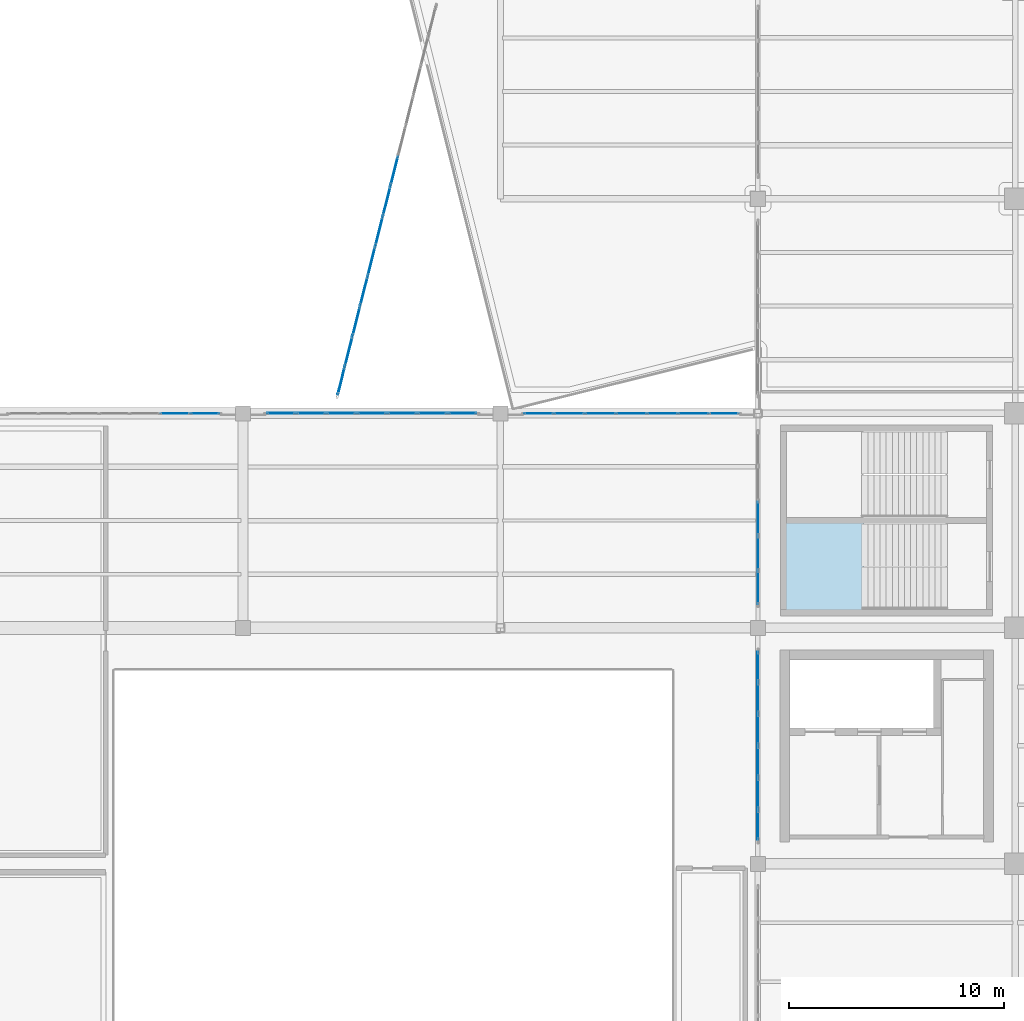
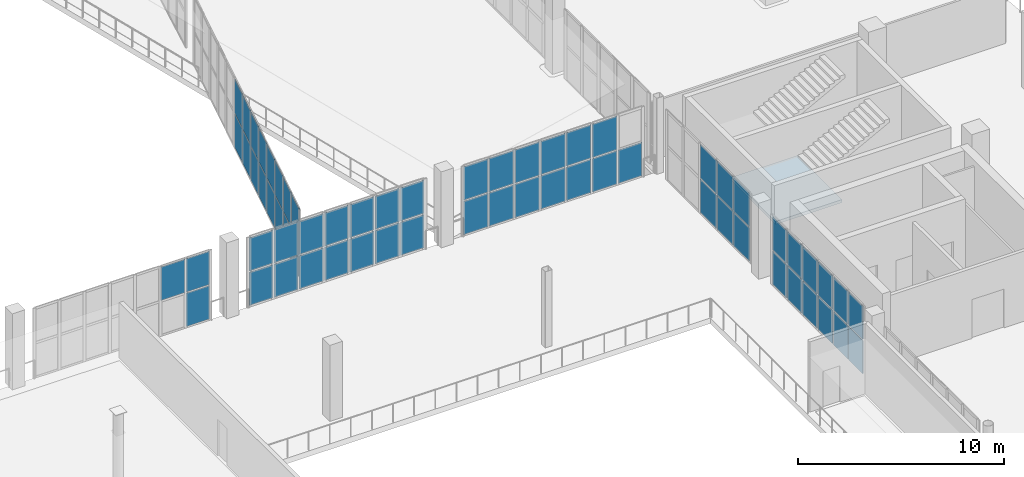
# One storey, part 68 of 108: 64 plates, 1 slab, 7 elements without a shape of their own.
"""IFC4 building model written with IfcOpenShell, lengths in metres."""

from ifc_helpers import new_model, si_unit, direction, frame, origin, origin_2d, place, context, subcontext, project, spatial, polyline, rectangle, outline, extrude, material, layer, layer_set, type_object, element, aggregate, save


model = new_model("IFC4")

# Units and contexts
model_context = context("Model", 3, precision=1e-05, world=origin(), true_north=direction((0.0, 1.0)))
body_context = subcontext(model_context, "Body", "Model", "MODEL_VIEW")
ifc_project = project(units=[si_unit("LENGTHUNIT", "METRE"), si_unit("AREAUNIT", "SQUARE_METRE"), si_unit("VOLUMEUNIT", "CUBIC_METRE"), si_unit("PLANEANGLEUNIT", "RADIAN"), si_unit("MASSUNIT", "GRAM", prefix="KILO")], contexts=[model_context])

# Site, building, storey
site_placement = place(None, origin())
site = spatial("IfcSite", under=ifc_project, at=site_placement, CompositionType="ELEMENT")
building_placement = place(site_placement, origin())
building = spatial("IfcBuilding", under=site, at=building_placement, Name="Brinegate Civic Arena", CompositionType="ELEMENT")
storey_placement = place(building_placement, frame((0.0, 0.0, 10.199951171875)))
storey = spatial("IfcBuildingStorey", under=building, at=storey_placement, Name="L02", CompositionType="ELEMENT", Elevation=10.199951171875)

# Curtain wall, plates
ifc_material_1 = material(Name="Marine grade aluminium", Category="aluminium")
ifc_layer_1 = layer(ifc_material_1, 0.18505859375, Name="Marine grade aluminium")
ifc_layer_set_1 = layer_set([ifc_layer_1], Name="Marine grade aluminium")
curtain_wall_type_1 = type_object("IfcCurtainWallType", Name="CW-WING-GLAZED-03", PredefinedType="USERDEFINED", material=ifc_layer_set_1)
curtain_wall_1_placement = place(storey_placement, origin())
curtain_wall_1 = element("IfcCurtainWall", 1, at=curtain_wall_1_placement, inside=storey, type_object=curtain_wall_type_1, Name="Curtain Wall CWA-022", ObjectType="GLAZED CURTAIN WALL", PredefinedType="USERDEFINED")
ifc_material_2 = material(Name="Hurricane laminated low-E glass", Category="glass")
ifc_layer_2 = layer(ifc_material_2, 0.028076171875, Name="Hurricane laminated low-E glass")
ifc_layer_set_2 = layer_set([ifc_layer_2], Name="Hurricane laminated low-E glass")
plate_type_1 = type_object("IfcPlateType", Name="CW-PANEL-GLAZED-28", PredefinedType="CURTAIN_PANEL", material=ifc_layer_set_2)
plate_1_placement = place(storey_placement, frame((20.83154296875, 52.0, 2.107421875), z_axis=(0.0, 0.0, 1.0), x_axis=(1.0, 0.0, 0.0)))
plate_1 = element("IfcPlate", 2, at=plate_1_placement, type_object=plate_type_1, Name="CWA-022 panel 6.2", PredefinedType="CURTAIN_PANEL", context=body_context, shape_type="SweptSolid", body=[
    extrude(rectangle(XDim=1.350830078125, YDim=0.028076171875, at=origin_2d()), origin(), (0.0, 0.0, 1.0), 1.9775390625),
])
plate_2_placement = place(storey_placement, frame((22.23095703125, 52.0, 0.06494140625), z_axis=(0.0, 0.0, 1.0), x_axis=(1.0, 0.0, 0.0)))
plate_2 = element("IfcPlate", 3, at=plate_2_placement, type_object=plate_type_1, Name="CWA-022 panel 7.1", PredefinedType="CURTAIN_PANEL", context=body_context, shape_type="SweptSolid", body=[
    extrude(rectangle(XDim=1.318115234375, YDim=0.028076171875, at=origin_2d()), origin(), (0.0, 0.0, 1.0), 1.9775390625),
])
plate_3_placement = place(storey_placement, frame((22.23095703125, 52.0, 2.107421875), z_axis=(0.0, 0.0, 1.0), x_axis=(1.0, 0.0, 0.0)))
plate_3 = element("IfcPlate", 4, at=plate_3_placement, type_object=plate_type_1, Name="CWA-022 panel 7.2", PredefinedType="CURTAIN_PANEL", context=body_context, shape_type="SweptSolid", body=[
    extrude(rectangle(XDim=1.318115234375, YDim=0.028076171875, at=origin_2d()), origin(), (0.0, 0.0, 1.0), 1.9775390625),
])
aggregate(curtain_wall_1, [plate_1, plate_2, plate_3])

curtain_wall_2_placement = place(storey_placement, origin())
curtain_wall_2 = element("IfcCurtainWall", 5, at=curtain_wall_2_placement, inside=storey, type_object=curtain_wall_type_1, Name="Curtain Wall CWA-026", ObjectType="GLAZED CURTAIN WALL", PredefinedType="USERDEFINED")
plate_4_placement = place(storey_placement, frame((37.7841796875, 52.0, 0.06494140625), z_axis=(0.0, 0.0, 1.0), x_axis=(1.0, 0.0, 0.0)))
plate_4 = element("IfcPlate", 6, at=plate_4_placement, type_object=plate_type_1, Name="CWA-026 panel 1.1", PredefinedType="CURTAIN_PANEL", context=body_context, shape_type="SweptSolid", body=[
    extrude(rectangle(XDim=1.348388671875, YDim=0.028076171875, at=origin_2d()), origin(), (0.0, 0.0, 1.0), 1.9775390625),
])
plate_5_placement = place(storey_placement, frame((37.7841796875, 52.0, 2.107421875), z_axis=(0.0, 0.0, 1.0), x_axis=(1.0, 0.0, 0.0)))
plate_5 = element("IfcPlate", 7, at=plate_5_placement, type_object=plate_type_1, Name="CWA-026 panel 1.2", PredefinedType="CURTAIN_PANEL", context=body_context, shape_type="SweptSolid", body=[
    extrude(rectangle(XDim=1.348388671875, YDim=0.028076171875, at=origin_2d()), origin(), (0.0, 0.0, 1.0), 1.9775390625),
])
plate_6_placement = place(storey_placement, frame((39.214111328125, 52.0, 0.06494140625), z_axis=(0.0, 0.0, 1.0), x_axis=(1.0, 0.0, 0.0)))
plate_6 = element("IfcPlate", 8, at=plate_6_placement, type_object=plate_type_1, Name="CWA-026 panel 2.1", PredefinedType="CURTAIN_PANEL", context=body_context, shape_type="SweptSolid", body=[
    extrude(rectangle(XDim=1.381103515625, YDim=0.028076171875, at=origin_2d()), origin(), (0.0, 0.0, 1.0), 1.9775390625),
])
plate_7_placement = place(storey_placement, frame((39.214111328125, 52.0, 2.107421875), z_axis=(0.0, 0.0, 1.0), x_axis=(1.0, 0.0, 0.0)))
plate_7 = element("IfcPlate", 9, at=plate_7_placement, type_object=plate_type_1, Name="CWA-026 panel 2.2", PredefinedType="CURTAIN_PANEL", context=body_context, shape_type="SweptSolid", body=[
    extrude(rectangle(XDim=1.381103515625, YDim=0.028076171875, at=origin_2d()), origin(), (0.0, 0.0, 1.0), 1.9775390625),
])
plate_8_placement = place(storey_placement, frame((40.659912109375, 52.0, 0.06494140625), z_axis=(0.0, 0.0, 1.0), x_axis=(1.0, 0.0, 0.0)))
plate_8 = element("IfcPlate", 10, at=plate_8_placement, type_object=plate_type_1, Name="CWA-026 panel 3.1", PredefinedType="CURTAIN_PANEL", context=body_context, shape_type="SweptSolid", body=[
    extrude(rectangle(XDim=1.381103515625, YDim=0.028076171875, at=origin_2d()), origin(), (0.0, 0.0, 1.0), 1.9775390625),
])
plate_9_placement = place(storey_placement, frame((40.659912109375, 52.0, 2.107421875), z_axis=(0.0, 0.0, 1.0), x_axis=(1.0, 0.0, 0.0)))
plate_9 = element("IfcPlate", 11, at=plate_9_placement, type_object=plate_type_1, Name="CWA-026 panel 3.2", PredefinedType="CURTAIN_PANEL", context=body_context, shape_type="SweptSolid", body=[
    extrude(rectangle(XDim=1.381103515625, YDim=0.028076171875, at=origin_2d()), origin(), (0.0, 0.0, 1.0), 1.9775390625),
])
plate_10_placement = place(storey_placement, frame((42.10595703125, 52.0, 0.06494140625), z_axis=(0.0, 0.0, 1.0), x_axis=(1.0, 0.0, 0.0)))
plate_10 = element("IfcPlate", 12, at=plate_10_placement, type_object=plate_type_1, Name="CWA-026 panel 4.1", PredefinedType="CURTAIN_PANEL", context=body_context, shape_type="SweptSolid", body=[
    extrude(rectangle(XDim=1.381103515625, YDim=0.028076171875, at=origin_2d()), origin(), (0.0, 0.0, 1.0), 1.9775390625),
])
plate_11_placement = place(storey_placement, frame((42.10595703125, 52.0, 2.107421875), z_axis=(0.0, 0.0, 1.0), x_axis=(1.0, 0.0, 0.0)))
plate_11 = element("IfcPlate", 13, at=plate_11_placement, type_object=plate_type_1, Name="CWA-026 panel 4.2", PredefinedType="CURTAIN_PANEL", context=body_context, shape_type="SweptSolid", body=[
    extrude(rectangle(XDim=1.381103515625, YDim=0.028076171875, at=origin_2d()), origin(), (0.0, 0.0, 1.0), 1.9775390625),
])
plate_12_placement = place(storey_placement, frame((43.552001953125, 52.0, 0.06494140625), z_axis=(0.0, 0.0, 1.0), x_axis=(1.0, 0.0, 0.0)))
plate_12 = element("IfcPlate", 14, at=plate_12_placement, type_object=plate_type_1, Name="CWA-026 panel 5.1", PredefinedType="CURTAIN_PANEL", context=body_context, shape_type="SweptSolid", body=[
    extrude(rectangle(XDim=1.381103515625, YDim=0.028076171875, at=origin_2d()), origin(), (0.0, 0.0, 1.0), 1.9775390625),
])
plate_13_placement = place(storey_placement, frame((43.552001953125, 52.0, 2.107421875), z_axis=(0.0, 0.0, 1.0), x_axis=(1.0, 0.0, 0.0)))
plate_13 = element("IfcPlate", 15, at=plate_13_placement, type_object=plate_type_1, Name="CWA-026 panel 5.2", PredefinedType="CURTAIN_PANEL", context=body_context, shape_type="SweptSolid", body=[
    extrude(rectangle(XDim=1.381103515625, YDim=0.028076171875, at=origin_2d()), origin(), (0.0, 0.0, 1.0), 1.9775390625),
])
plate_14_placement = place(storey_placement, frame((44.998046875, 52.0, 0.06494140625), z_axis=(0.0, 0.0, 1.0), x_axis=(1.0, 0.0, 0.0)))
plate_14 = element("IfcPlate", 16, at=plate_14_placement, type_object=plate_type_1, Name="CWA-026 panel 6.1", PredefinedType="CURTAIN_PANEL", context=body_context, shape_type="SweptSolid", body=[
    extrude(rectangle(XDim=1.381103515625, YDim=0.028076171875, at=origin_2d()), origin(), (0.0, 0.0, 1.0), 1.9775390625),
])
plate_15_placement = place(storey_placement, frame((44.998046875, 52.0, 2.107421875), z_axis=(0.0, 0.0, 1.0), x_axis=(1.0, 0.0, 0.0)))
plate_15 = element("IfcPlate", 17, at=plate_15_placement, type_object=plate_type_1, Name="CWA-026 panel 6.2", PredefinedType="CURTAIN_PANEL", context=body_context, shape_type="SweptSolid", body=[
    extrude(rectangle(XDim=1.381103515625, YDim=0.028076171875, at=origin_2d()), origin(), (0.0, 0.0, 1.0), 1.9775390625),
])
plate_16_placement = place(storey_placement, frame((46.427734375, 52.0, 0.06494140625), z_axis=(0.0, 0.0, 1.0), x_axis=(1.0, 0.0, 0.0)))
plate_16 = element("IfcPlate", 18, at=plate_16_placement, type_object=plate_type_1, Name="CWA-026 panel 7.1", PredefinedType="CURTAIN_PANEL", context=body_context, shape_type="SweptSolid", body=[
    extrude(rectangle(XDim=1.348388671875, YDim=0.028076171875, at=origin_2d()), origin(), (0.0, 0.0, 1.0), 1.9775390625),
])
aggregate(curtain_wall_2, [plate_4, plate_5, plate_6, plate_7, plate_8, plate_9, plate_10, plate_11, plate_12, plate_13, plate_14, plate_15, plate_16])

ifc_layer_3 = layer(ifc_material_1, 0.199951171875, Name="Marine grade aluminium")
ifc_layer_set_3 = layer_set([ifc_layer_3], Name="Marine grade aluminium")
curtain_wall_type_2 = type_object("IfcCurtainWallType", Name="CW-BOWL-GLAZED-01", PredefinedType="USERDEFINED", material=ifc_layer_set_3)
curtain_wall_3_placement = place(storey_placement, origin())
curtain_wall_3 = element("IfcCurtainWall", 19, at=curtain_wall_3_placement, inside=storey, type_object=curtain_wall_type_2, Name="Curtain Wall CWA-081", ObjectType="GLAZED CURTAIN WALL", PredefinedType="USERDEFINED")
ifc_layer_4 = layer(ifc_material_2, 0.031982421875, Name="Hurricane laminated low-E glass")
ifc_layer_set_4 = layer_set([ifc_layer_4], Name="Hurricane laminated low-E glass")
plate_type_2 = type_object("IfcPlateType", Name="CW-PANEL-GLAZED-32", PredefinedType="CURTAIN_PANEL", material=ifc_layer_set_4)
plate_17_placement = place(storey_placement, frame((48.0, 43.87353515625, 0.06494140625), z_axis=(0.0, 0.0, 1.0), x_axis=(0.0, 1.0, 0.0)))
plate_17 = element("IfcPlate", 20, at=plate_17_placement, type_object=plate_type_2, Name="CWA-081 panel 1.1", PredefinedType="CURTAIN_PANEL", context=body_context, shape_type="SweptSolid", body=[
    extrude(rectangle(XDim=1.52685546875, YDim=0.031982421875, at=origin_2d()), origin(), (0.0, 0.0, 1.0), 1.9775390625),
])
plate_18_placement = place(storey_placement, frame((48.0, 43.87353515625, 2.107421875), z_axis=(0.0, 0.0, 1.0), x_axis=(0.0, 1.0, 0.0)))
plate_18 = element("IfcPlate", 21, at=plate_18_placement, type_object=plate_type_2, Name="CWA-081 panel 1.2", PredefinedType="CURTAIN_PANEL", context=body_context, shape_type="SweptSolid", body=[
    extrude(rectangle(XDim=1.52685546875, YDim=0.031982421875, at=origin_2d()), origin(), (0.0, 0.0, 1.0), 1.9775390625),
])
plate_19_placement = place(storey_placement, frame((48.0, 45.481689453125, 0.06494140625), z_axis=(0.0, 0.0, 1.0), x_axis=(0.0, 1.0, 0.0)))
plate_19 = element("IfcPlate", 22, at=plate_19_placement, type_object=plate_type_2, Name="CWA-081 panel 2.1", PredefinedType="CURTAIN_PANEL", context=body_context, shape_type="SweptSolid", body=[
    extrude(rectangle(XDim=1.559326171875, YDim=0.031982421875, at=origin_2d()), origin(), (0.0, 0.0, 1.0), 1.9775390625),
])
plate_20_placement = place(storey_placement, frame((48.0, 45.481689453125, 2.107421875), z_axis=(0.0, 0.0, 1.0), x_axis=(0.0, 1.0, 0.0)))
plate_20 = element("IfcPlate", 23, at=plate_20_placement, type_object=plate_type_2, Name="CWA-081 panel 2.2", PredefinedType="CURTAIN_PANEL", context=body_context, shape_type="SweptSolid", body=[
    extrude(rectangle(XDim=1.559326171875, YDim=0.031982421875, at=origin_2d()), origin(), (0.0, 0.0, 1.0), 1.9775390625),
])
plate_21_placement = place(storey_placement, frame((48.0, 47.10595703125, 0.06494140625), z_axis=(0.0, 0.0, 1.0), x_axis=(0.0, 1.0, 0.0)))
plate_21 = element("IfcPlate", 24, at=plate_21_placement, type_object=plate_type_2, Name="CWA-081 panel 3.1", PredefinedType="CURTAIN_PANEL", context=body_context, shape_type="SweptSolid", body=[
    extrude(rectangle(XDim=1.559326171875, YDim=0.031982421875, at=origin_2d()), origin(), (0.0, 0.0, 1.0), 1.9775390625),
])
plate_22_placement = place(storey_placement, frame((48.0, 47.10595703125, 2.107421875), z_axis=(0.0, 0.0, 1.0), x_axis=(0.0, 1.0, 0.0)))
plate_22 = element("IfcPlate", 25, at=plate_22_placement, type_object=plate_type_2, Name="CWA-081 panel 3.2", PredefinedType="CURTAIN_PANEL", context=body_context, shape_type="SweptSolid", body=[
    extrude(rectangle(XDim=1.559326171875, YDim=0.031982421875, at=origin_2d()), origin(), (0.0, 0.0, 1.0), 1.9775390625),
])
aggregate(curtain_wall_3, [plate_17, plate_18, plate_19, plate_20, plate_21, plate_22])

curtain_wall_4_placement = place(storey_placement, origin())
curtain_wall_4 = element("IfcCurtainWall", 26, at=curtain_wall_4_placement, inside=storey, type_object=curtain_wall_type_1, Name="Curtain Wall CWA-024", ObjectType="GLAZED CURTAIN WALL", PredefinedType="USERDEFINED")
ifc_layer_5 = layer(ifc_material_2, 0.035888671875, Name="Hurricane laminated low-E glass")
ifc_layer_set_5 = layer_set([ifc_layer_5], Name="Hurricane laminated low-E glass")
plate_type_3 = type_object("IfcPlateType", Name="CW-PANEL-GLAZED-36", PredefinedType="CURTAIN_PANEL", material=ifc_layer_set_5)
plate_23_placement = place(storey_placement, frame((25.771728515625, 52.0, 0.0751953125), z_axis=(0.0, 0.0, 1.0), x_axis=(1.0, 0.0, 0.0)))
plate_23 = element("IfcPlate", 27, at=plate_23_placement, type_object=plate_type_3, Name="CWA-024 panel 1.1", PredefinedType="CURTAIN_PANEL", context=body_context, shape_type="SweptSolid", body=[
    extrude(rectangle(XDim=1.30322265625, YDim=0.035888671875, at=origin_2d()), origin(), (0.0, 0.0, 1.0), 1.96240234375),
])
plate_24_placement = place(storey_placement, frame((25.771728515625, 52.0, 2.112548828125), z_axis=(0.0, 0.0, 1.0), x_axis=(1.0, 0.0, 0.0)))
plate_24 = element("IfcPlate", 28, at=plate_24_placement, type_object=plate_type_3, Name="CWA-024 panel 1.2", PredefinedType="CURTAIN_PANEL", context=body_context, shape_type="SweptSolid", body=[
    extrude(rectangle(XDim=1.30322265625, YDim=0.035888671875, at=origin_2d()), origin(), (0.0, 0.0, 1.0), 1.96240234375),
])
plate_25_placement = place(storey_placement, frame((27.16845703125, 52.0, 0.0751953125), z_axis=(0.0, 0.0, 1.0), x_axis=(1.0, 0.0, 0.0)))
plate_25 = element("IfcPlate", 29, at=plate_25_placement, type_object=plate_type_3, Name="CWA-024 panel 2.1", PredefinedType="CURTAIN_PANEL", context=body_context, shape_type="SweptSolid", body=[
    extrude(rectangle(XDim=1.3408203125, YDim=0.035888671875, at=origin_2d()), origin(), (0.0, 0.0, 1.0), 1.96240234375),
])
plate_26_placement = place(storey_placement, frame((27.16845703125, 52.0, 2.112548828125), z_axis=(0.0, 0.0, 1.0), x_axis=(1.0, 0.0, 0.0)))
plate_26 = element("IfcPlate", 30, at=plate_26_placement, type_object=plate_type_3, Name="CWA-024 panel 2.2", PredefinedType="CURTAIN_PANEL", context=body_context, shape_type="SweptSolid", body=[
    extrude(rectangle(XDim=1.3408203125, YDim=0.035888671875, at=origin_2d()), origin(), (0.0, 0.0, 1.0), 1.96240234375),
])
plate_27_placement = place(storey_placement, frame((28.584228515625, 52.0, 0.0751953125), z_axis=(0.0, 0.0, 1.0), x_axis=(1.0, 0.0, 0.0)))
plate_27 = element("IfcPlate", 31, at=plate_27_placement, type_object=plate_type_3, Name="CWA-024 panel 3.1", PredefinedType="CURTAIN_PANEL", context=body_context, shape_type="SweptSolid", body=[
    extrude(rectangle(XDim=1.3408203125, YDim=0.035888671875, at=origin_2d()), origin(), (0.0, 0.0, 1.0), 1.96240234375),
])
plate_28_placement = place(storey_placement, frame((28.584228515625, 52.0, 2.112548828125), z_axis=(0.0, 0.0, 1.0), x_axis=(1.0, 0.0, 0.0)))
plate_28 = element("IfcPlate", 32, at=plate_28_placement, type_object=plate_type_3, Name="CWA-024 panel 3.2", PredefinedType="CURTAIN_PANEL", context=body_context, shape_type="SweptSolid", body=[
    extrude(rectangle(XDim=1.3408203125, YDim=0.035888671875, at=origin_2d()), origin(), (0.0, 0.0, 1.0), 1.96240234375),
])
plate_29_placement = place(storey_placement, frame((30.0, 52.0, 0.0751953125), z_axis=(0.0, 0.0, 1.0), x_axis=(1.0, 0.0, 0.0)))
plate_29 = element("IfcPlate", 33, at=plate_29_placement, type_object=plate_type_3, Name="CWA-024 panel 4.1", PredefinedType="CURTAIN_PANEL", context=body_context, shape_type="SweptSolid", body=[
    extrude(rectangle(XDim=1.3408203125, YDim=0.035888671875, at=origin_2d()), origin(), (0.0, 0.0, 1.0), 1.96240234375),
])
plate_30_placement = place(storey_placement, frame((30.0, 52.0, 2.112548828125), z_axis=(0.0, 0.0, 1.0), x_axis=(1.0, 0.0, 0.0)))
plate_30 = element("IfcPlate", 34, at=plate_30_placement, type_object=plate_type_3, Name="CWA-024 panel 4.2", PredefinedType="CURTAIN_PANEL", context=body_context, shape_type="SweptSolid", body=[
    extrude(rectangle(XDim=1.3408203125, YDim=0.035888671875, at=origin_2d()), origin(), (0.0, 0.0, 1.0), 1.96240234375),
])
plate_31_placement = place(storey_placement, frame((31.415771484375, 52.0, 0.0751953125), z_axis=(0.0, 0.0, 1.0), x_axis=(1.0, 0.0, 0.0)))
plate_31 = element("IfcPlate", 35, at=plate_31_placement, type_object=plate_type_3, Name="CWA-024 panel 5.1", PredefinedType="CURTAIN_PANEL", context=body_context, shape_type="SweptSolid", body=[
    extrude(rectangle(XDim=1.3408203125, YDim=0.035888671875, at=origin_2d()), origin(), (0.0, 0.0, 1.0), 1.96240234375),
])
plate_32_placement = place(storey_placement, frame((31.415771484375, 52.0, 2.112548828125), z_axis=(0.0, 0.0, 1.0), x_axis=(1.0, 0.0, 0.0)))
plate_32 = element("IfcPlate", 36, at=plate_32_placement, type_object=plate_type_3, Name="CWA-024 panel 5.2", PredefinedType="CURTAIN_PANEL", context=body_context, shape_type="SweptSolid", body=[
    extrude(rectangle(XDim=1.3408203125, YDim=0.035888671875, at=origin_2d()), origin(), (0.0, 0.0, 1.0), 1.96240234375),
])
plate_33_placement = place(storey_placement, frame((32.83154296875, 52.0, 0.0751953125), z_axis=(0.0, 0.0, 1.0), x_axis=(1.0, 0.0, 0.0)))
plate_33 = element("IfcPlate", 37, at=plate_33_placement, type_object=plate_type_3, Name="CWA-024 panel 6.1", PredefinedType="CURTAIN_PANEL", context=body_context, shape_type="SweptSolid", body=[
    extrude(rectangle(XDim=1.3408203125, YDim=0.035888671875, at=origin_2d()), origin(), (0.0, 0.0, 1.0), 1.96240234375),
])
plate_34_placement = place(storey_placement, frame((32.83154296875, 52.0, 2.112548828125), z_axis=(0.0, 0.0, 1.0), x_axis=(1.0, 0.0, 0.0)))
plate_34 = element("IfcPlate", 38, at=plate_34_placement, type_object=plate_type_3, Name="CWA-024 panel 6.2", PredefinedType="CURTAIN_PANEL", context=body_context, shape_type="SweptSolid", body=[
    extrude(rectangle(XDim=1.3408203125, YDim=0.035888671875, at=origin_2d()), origin(), (0.0, 0.0, 1.0), 1.96240234375),
])
plate_35_placement = place(storey_placement, frame((34.228271484375, 52.0, 0.0751953125), z_axis=(0.0, 0.0, 1.0), x_axis=(1.0, 0.0, 0.0)))
plate_35 = element("IfcPlate", 39, at=plate_35_placement, type_object=plate_type_3, Name="CWA-024 panel 7.1", PredefinedType="CURTAIN_PANEL", context=body_context, shape_type="SweptSolid", body=[
    extrude(rectangle(XDim=1.30322265625, YDim=0.035888671875, at=origin_2d()), origin(), (0.0, 0.0, 1.0), 1.96240234375),
])
plate_36_placement = place(storey_placement, frame((34.228271484375, 52.0, 2.112548828125), z_axis=(0.0, 0.0, 1.0), x_axis=(1.0, 0.0, 0.0)))
plate_36 = element("IfcPlate", 40, at=plate_36_placement, type_object=plate_type_3, Name="CWA-024 panel 7.2", PredefinedType="CURTAIN_PANEL", context=body_context, shape_type="SweptSolid", body=[
    extrude(rectangle(XDim=1.30322265625, YDim=0.035888671875, at=origin_2d()), origin(), (0.0, 0.0, 1.0), 1.96240234375),
])
aggregate(curtain_wall_4, [plate_23, plate_24, plate_25, plate_26, plate_27, plate_28, plate_29, plate_30, plate_31, plate_32, plate_33, plate_34, plate_35, plate_36])

ifc_layer_6 = layer(ifc_material_1, 0.215087890625, Name="Marine grade aluminium")
ifc_layer_set_6 = layer_set([ifc_layer_6], Name="Marine grade aluminium")
curtain_wall_type_3 = type_object("IfcCurtainWallType", Name="CW-FOYER-GLAZED-02", PredefinedType="USERDEFINED", material=ifc_layer_set_6)
curtain_wall_5_placement = place(storey_placement, origin())
curtain_wall_5 = element("IfcCurtainWall", 41, at=curtain_wall_5_placement, inside=storey, type_object=curtain_wall_type_3, Name="Curtain Wall CWA-003", ObjectType="GLAZED CURTAIN WALL", PredefinedType="USERDEFINED")
ifc_layer_7 = layer(ifc_material_2, 0.0419921875, Name="Hurricane laminated low-E glass")
ifc_layer_set_7 = layer_set([ifc_layer_7], Name="Hurricane laminated low-E glass")
plate_type_4 = type_object("IfcPlateType", Name="CW-PANEL-SPANDREL-42", PredefinedType="CURTAIN_PANEL", material=ifc_layer_set_7)
plate_37_placement = place(storey_placement, frame((28.581787109375, 53.519287109375, 0.06494140625), z_axis=(0.0, 0.0, 1.0), x_axis=(0.245041635134, 0.969512556417, 0.0)))
plate_37 = element("IfcPlate", 42, at=plate_37_placement, type_object=plate_type_4, Name="CWA-003 panel 1.1", PredefinedType="CURTAIN_PANEL", context=body_context, shape_type="SweptSolid", body=[
    extrude(rectangle(XDim=1.323974609375, YDim=0.0419921875, at=origin_2d()), origin(), (0.0, 0.0, 1.0), 1.9775390625),
])
plate_38_placement = place(storey_placement, frame((28.581787109375, 53.519287109375, 2.107421875), z_axis=(0.0, 0.0, 1.0), x_axis=(0.245041635134, 0.969512556417, 0.0)))
plate_38 = element("IfcPlate", 43, at=plate_38_placement, type_object=plate_type_4, Name="CWA-003 panel 1.2", PredefinedType="CURTAIN_PANEL", context=body_context, shape_type="SweptSolid", body=[
    extrude(rectangle(XDim=1.323974609375, YDim=0.0419921875, at=origin_2d()), origin(), (0.0, 0.0, 1.0), 1.9775390625),
])
plate_39_placement = place(storey_placement, frame((28.9306640625, 54.89990234375, 0.06494140625), z_axis=(0.0, 0.0, 1.0), x_axis=(0.245041635134, 0.969512556417, 0.0)))
plate_39 = element("IfcPlate", 44, at=plate_39_placement, type_object=plate_type_4, Name="CWA-003 panel 2.1", PredefinedType="CURTAIN_PANEL", context=body_context, shape_type="SweptSolid", body=[
    extrude(rectangle(XDim=1.364013671875, YDim=0.0419921875, at=origin_2d()), origin(), (0.0, 0.0, 1.0), 1.9775390625),
])
plate_40_placement = place(storey_placement, frame((28.9306640625, 54.89990234375, 2.107421875), z_axis=(0.0, 0.0, 1.0), x_axis=(0.245041635134, 0.969512556417, 0.0)))
plate_40 = element("IfcPlate", 45, at=plate_40_placement, type_object=plate_type_4, Name="CWA-003 panel 2.2", PredefinedType="CURTAIN_PANEL", context=body_context, shape_type="SweptSolid", body=[
    extrude(rectangle(XDim=1.364013671875, YDim=0.0419921875, at=origin_2d()), origin(), (0.0, 0.0, 1.0), 1.9775390625),
])
plate_41_placement = place(storey_placement, frame((29.28466796875, 56.300048828125, 0.06494140625), z_axis=(0.0, 0.0, 1.0), x_axis=(0.245041635134, 0.969512556417, 0.0)))
plate_41 = element("IfcPlate", 46, at=plate_41_placement, type_object=plate_type_4, Name="CWA-003 panel 3.1", PredefinedType="CURTAIN_PANEL", context=body_context, shape_type="SweptSolid", body=[
    extrude(rectangle(XDim=1.364013671875, YDim=0.0419921875, at=origin_2d()), origin(), (0.0, 0.0, 1.0), 1.9775390625),
])
plate_42_placement = place(storey_placement, frame((29.28466796875, 56.300048828125, 2.107421875), z_axis=(0.0, 0.0, 1.0), x_axis=(0.245041635134, 0.969512556417, 0.0)))
plate_42 = element("IfcPlate", 47, at=plate_42_placement, type_object=plate_type_4, Name="CWA-003 panel 3.2", PredefinedType="CURTAIN_PANEL", context=body_context, shape_type="SweptSolid", body=[
    extrude(rectangle(XDim=1.364013671875, YDim=0.0419921875, at=origin_2d()), origin(), (0.0, 0.0, 1.0), 1.9775390625),
])
plate_43_placement = place(storey_placement, frame((29.638427734375, 57.699951171875, 0.06494140625), z_axis=(0.0, 0.0, 1.0), x_axis=(0.245041635134, 0.969512556417, 0.0)))
plate_43 = element("IfcPlate", 48, at=plate_43_placement, type_object=plate_type_4, Name="CWA-003 panel 4.1", PredefinedType="CURTAIN_PANEL", context=body_context, shape_type="SweptSolid", body=[
    extrude(rectangle(XDim=1.364013671875, YDim=0.0419921875, at=origin_2d()), origin(), (0.0, 0.0, 1.0), 1.9775390625),
])
plate_44_placement = place(storey_placement, frame((29.638427734375, 57.699951171875, 2.107421875), z_axis=(0.0, 0.0, 1.0), x_axis=(0.245041635134, 0.969512556417, 0.0)))
plate_44 = element("IfcPlate", 49, at=plate_44_placement, type_object=plate_type_4, Name="CWA-003 panel 4.2", PredefinedType="CURTAIN_PANEL", context=body_context, shape_type="SweptSolid", body=[
    extrude(rectangle(XDim=1.364013671875, YDim=0.0419921875, at=origin_2d()), origin(), (0.0, 0.0, 1.0), 1.9775390625),
])
plate_45_placement = place(storey_placement, frame((29.9921875, 59.10009765625, 0.06494140625), z_axis=(0.0, 0.0, 1.0), x_axis=(0.245041635134, 0.969512556417, 0.0)))
plate_45 = element("IfcPlate", 50, at=plate_45_placement, type_object=plate_type_4, Name="CWA-003 panel 5.1", PredefinedType="CURTAIN_PANEL", context=body_context, shape_type="SweptSolid", body=[
    extrude(rectangle(XDim=1.364013671875, YDim=0.0419921875, at=origin_2d()), origin(), (0.0, 0.0, 1.0), 1.9775390625),
])
plate_46_placement = place(storey_placement, frame((29.9921875, 59.10009765625, 2.107421875), z_axis=(0.0, 0.0, 1.0), x_axis=(0.245041635134, 0.969512556417, 0.0)))
plate_46 = element("IfcPlate", 51, at=plate_46_placement, type_object=plate_type_4, Name="CWA-003 panel 5.2", PredefinedType="CURTAIN_PANEL", context=body_context, shape_type="SweptSolid", body=[
    extrude(rectangle(XDim=1.364013671875, YDim=0.0419921875, at=origin_2d()), origin(), (0.0, 0.0, 1.0), 1.9775390625),
])
plate_47_placement = place(storey_placement, frame((30.34619140625, 60.5, 0.06494140625), z_axis=(0.0, 0.0, 1.0), x_axis=(0.245041635134, 0.969512556417, 0.0)))
plate_47 = element("IfcPlate", 52, at=plate_47_placement, type_object=plate_type_4, Name="CWA-003 panel 6.1", PredefinedType="CURTAIN_PANEL", context=body_context, shape_type="SweptSolid", body=[
    extrude(rectangle(XDim=1.364013671875, YDim=0.0419921875, at=origin_2d()), origin(), (0.0, 0.0, 1.0), 1.9775390625),
])
plate_48_placement = place(storey_placement, frame((30.34619140625, 60.5, 2.107421875), z_axis=(0.0, 0.0, 1.0), x_axis=(0.245041635134, 0.969512556417, 0.0)))
plate_48 = element("IfcPlate", 53, at=plate_48_placement, type_object=plate_type_4, Name="CWA-003 panel 6.2", PredefinedType="CURTAIN_PANEL", context=body_context, shape_type="SweptSolid", body=[
    extrude(rectangle(XDim=1.364013671875, YDim=0.0419921875, at=origin_2d()), origin(), (0.0, 0.0, 1.0), 1.9775390625),
])
plate_49_placement = place(storey_placement, frame((30.699951171875, 61.89990234375, 0.06494140625), z_axis=(0.0, 0.0, 1.0), x_axis=(0.245041635134, 0.969512556417, 0.0)))
plate_49 = element("IfcPlate", 54, at=plate_49_placement, type_object=plate_type_4, Name="CWA-003 panel 7.1", PredefinedType="CURTAIN_PANEL", context=body_context, shape_type="SweptSolid", body=[
    extrude(rectangle(XDim=1.364013671875, YDim=0.0419921875, at=origin_2d()), origin(), (0.0, 0.0, 1.0), 1.9775390625),
])
plate_50_placement = place(storey_placement, frame((30.699951171875, 61.89990234375, 2.107421875), z_axis=(0.0, 0.0, 1.0), x_axis=(0.245041635134, 0.969512556417, 0.0)))
plate_50 = element("IfcPlate", 55, at=plate_50_placement, type_object=plate_type_4, Name="CWA-003 panel 7.2", PredefinedType="CURTAIN_PANEL", context=body_context, shape_type="SweptSolid", body=[
    extrude(rectangle(XDim=1.364013671875, YDim=0.0419921875, at=origin_2d()), origin(), (0.0, 0.0, 1.0), 1.9775390625),
])
plate_51_placement = place(storey_placement, frame((31.053955078125, 63.300048828125, 0.06494140625), z_axis=(0.0, 0.0, 1.0), x_axis=(0.245041635134, 0.969512556417, 0.0)))
plate_51 = element("IfcPlate", 56, at=plate_51_placement, type_object=plate_type_4, Name="CWA-003 panel 8.1", PredefinedType="CURTAIN_PANEL", context=body_context, shape_type="SweptSolid", body=[
    extrude(rectangle(XDim=1.364013671875, YDim=0.0419921875, at=origin_2d()), origin(), (0.0, 0.0, 1.0), 1.9775390625),
])
plate_52_placement = place(storey_placement, frame((31.053955078125, 63.300048828125, 2.107421875), z_axis=(0.0, 0.0, 1.0), x_axis=(0.245041635134, 0.969512556417, 0.0)))
plate_52 = element("IfcPlate", 57, at=plate_52_placement, type_object=plate_type_4, Name="CWA-003 panel 8.2", PredefinedType="CURTAIN_PANEL", context=body_context, shape_type="SweptSolid", body=[
    extrude(rectangle(XDim=1.364013671875, YDim=0.0419921875, at=origin_2d()), origin(), (0.0, 0.0, 1.0), 1.9775390625),
])
aggregate(curtain_wall_5, [plate_37, plate_38, plate_39, plate_40, plate_41, plate_42, plate_43, plate_44, plate_45, plate_46, plate_47, plate_48, plate_49, plate_50, plate_51, plate_52])

curtain_wall_6_placement = place(storey_placement, origin())
curtain_wall_6 = element("IfcCurtainWall", 58, at=curtain_wall_6_placement, inside=storey, type_object=curtain_wall_type_2, Name="Curtain Wall CWA-079", ObjectType="GLAZED CURTAIN WALL", PredefinedType="USERDEFINED")
plate_53_placement = place(storey_placement, frame((48.0, 32.8076171875, 0.0751953125), z_axis=(0.0, 0.0, 1.0), x_axis=(0.0, 1.0, 0.0)))
plate_53 = element("IfcPlate", 59, at=plate_53_placement, type_object=plate_type_4, Name="CWA-079 panel 1.1", PredefinedType="CURTAIN_PANEL", context=body_context, shape_type="SweptSolid", body=[
    extrude(rectangle(XDim=1.364990234375, YDim=0.0419921875, at=origin_2d()), origin(), (0.0, 0.0, 1.0), 1.96240234375),
])
plate_54_placement = place(storey_placement, frame((48.0, 32.8076171875, 2.112548828125), z_axis=(0.0, 0.0, 1.0), x_axis=(0.0, 1.0, 0.0)))
plate_54 = element("IfcPlate", 60, at=plate_54_placement, type_object=plate_type_4, Name="CWA-079 panel 1.2", PredefinedType="CURTAIN_PANEL", context=body_context, shape_type="SweptSolid", body=[
    extrude(rectangle(XDim=1.364990234375, YDim=0.0419921875, at=origin_2d()), origin(), (0.0, 0.0, 1.0), 1.96240234375),
])
plate_55_placement = place(storey_placement, frame((48.0, 34.2724609375, 0.0751953125), z_axis=(0.0, 0.0, 1.0), x_axis=(0.0, 1.0, 0.0)))
plate_55 = element("IfcPlate", 61, at=plate_55_placement, type_object=plate_type_4, Name="CWA-079 panel 2.1", PredefinedType="CURTAIN_PANEL", context=body_context, shape_type="SweptSolid", body=[
    extrude(rectangle(XDim=1.405029296875, YDim=0.0419921875, at=origin_2d()), origin(), (0.0, 0.0, 1.0), 1.96240234375),
])
plate_56_placement = place(storey_placement, frame((48.0, 34.2724609375, 2.112548828125), z_axis=(0.0, 0.0, 1.0), x_axis=(0.0, 1.0, 0.0)))
plate_56 = element("IfcPlate", 62, at=plate_56_placement, type_object=plate_type_4, Name="CWA-079 panel 2.2", PredefinedType="CURTAIN_PANEL", context=body_context, shape_type="SweptSolid", body=[
    extrude(rectangle(XDim=1.405029296875, YDim=0.0419921875, at=origin_2d()), origin(), (0.0, 0.0, 1.0), 1.96240234375),
])
plate_57_placement = place(storey_placement, frame((48.0, 35.757568359375, 0.0751953125), z_axis=(0.0, 0.0, 1.0), x_axis=(0.0, 1.0, 0.0)))
plate_57 = element("IfcPlate", 63, at=plate_57_placement, type_object=plate_type_4, Name="CWA-079 panel 3.1", PredefinedType="CURTAIN_PANEL", context=body_context, shape_type="SweptSolid", body=[
    extrude(rectangle(XDim=1.405029296875, YDim=0.0419921875, at=origin_2d()), origin(), (0.0, 0.0, 1.0), 1.96240234375),
])
plate_58_placement = place(storey_placement, frame((48.0, 35.757568359375, 2.112548828125), z_axis=(0.0, 0.0, 1.0), x_axis=(0.0, 1.0, 0.0)))
plate_58 = element("IfcPlate", 64, at=plate_58_placement, type_object=plate_type_4, Name="CWA-079 panel 3.2", PredefinedType="CURTAIN_PANEL", context=body_context, shape_type="SweptSolid", body=[
    extrude(rectangle(XDim=1.405029296875, YDim=0.0419921875, at=origin_2d()), origin(), (0.0, 0.0, 1.0), 1.96240234375),
])
plate_59_placement = place(storey_placement, frame((48.0, 37.242431640625, 0.0751953125), z_axis=(0.0, 0.0, 1.0), x_axis=(0.0, 1.0, 0.0)))
plate_59 = element("IfcPlate", 65, at=plate_59_placement, type_object=plate_type_4, Name="CWA-079 panel 4.1", PredefinedType="CURTAIN_PANEL", context=body_context, shape_type="SweptSolid", body=[
    extrude(rectangle(XDim=1.405029296875, YDim=0.0419921875, at=origin_2d()), origin(), (0.0, 0.0, 1.0), 1.96240234375),
])
plate_60_placement = place(storey_placement, frame((48.0, 37.242431640625, 2.112548828125), z_axis=(0.0, 0.0, 1.0), x_axis=(0.0, 1.0, 0.0)))
plate_60 = element("IfcPlate", 66, at=plate_60_placement, type_object=plate_type_4, Name="CWA-079 panel 4.2", PredefinedType="CURTAIN_PANEL", context=body_context, shape_type="SweptSolid", body=[
    extrude(rectangle(XDim=1.405029296875, YDim=0.0419921875, at=origin_2d()), origin(), (0.0, 0.0, 1.0), 1.96240234375),
])
plate_61_placement = place(storey_placement, frame((48.0, 38.7275390625, 0.0751953125), z_axis=(0.0, 0.0, 1.0), x_axis=(0.0, 1.0, 0.0)))
plate_61 = element("IfcPlate", 67, at=plate_61_placement, type_object=plate_type_4, Name="CWA-079 panel 5.1", PredefinedType="CURTAIN_PANEL", context=body_context, shape_type="SweptSolid", body=[
    extrude(rectangle(XDim=1.405029296875, YDim=0.0419921875, at=origin_2d()), origin(), (0.0, 0.0, 1.0), 1.96240234375),
])
plate_62_placement = place(storey_placement, frame((48.0, 38.7275390625, 2.112548828125), z_axis=(0.0, 0.0, 1.0), x_axis=(0.0, 1.0, 0.0)))
plate_62 = element("IfcPlate", 68, at=plate_62_placement, type_object=plate_type_4, Name="CWA-079 panel 5.2", PredefinedType="CURTAIN_PANEL", context=body_context, shape_type="SweptSolid", body=[
    extrude(rectangle(XDim=1.405029296875, YDim=0.0419921875, at=origin_2d()), origin(), (0.0, 0.0, 1.0), 1.96240234375),
])
plate_63_placement = place(storey_placement, frame((48.0, 40.1923828125, 0.0751953125), z_axis=(0.0, 0.0, 1.0), x_axis=(0.0, 1.0, 0.0)))
plate_63 = element("IfcPlate", 69, at=plate_63_placement, type_object=plate_type_4, Name="CWA-079 panel 6.1", PredefinedType="CURTAIN_PANEL", context=body_context, shape_type="SweptSolid", body=[
    extrude(rectangle(XDim=1.364990234375, YDim=0.0419921875, at=origin_2d()), origin(), (0.0, 0.0, 1.0), 1.96240234375),
])
plate_64_placement = place(storey_placement, frame((48.0, 40.1923828125, 2.112548828125), z_axis=(0.0, 0.0, 1.0), x_axis=(0.0, 1.0, 0.0)))
plate_64 = element("IfcPlate", 70, at=plate_64_placement, type_object=plate_type_4, Name="CWA-079 panel 6.2", PredefinedType="CURTAIN_PANEL", context=body_context, shape_type="SweptSolid", body=[
    extrude(rectangle(XDim=1.364990234375, YDim=0.0419921875, at=origin_2d()), origin(), (0.0, 0.0, 1.0), 1.96240234375),
])
aggregate(curtain_wall_6, [plate_53, plate_54, plate_55, plate_56, plate_57, plate_58, plate_59, plate_60, plate_61, plate_62, plate_63, plate_64])

# Stair, slab
ifc_material_3 = material(Name="Concrete C40/50", Category="concrete")
stair_type = type_object("IfcStairType", Name="STAIR-EXIT-3850", PredefinedType="HALF_TURN_STAIR", material=ifc_material_3)
stair_placement = place(storey_placement, origin())
stair = element("IfcStair", 71, at=stair_placement, inside=storey, type_object=stair_type, Name="Protected Exit Stair ST-08A (L02)", PredefinedType="HALF_TURN_STAIR")
ifc_layer_8 = layer(ifc_material_3, 0.179931640625, Name="Concrete C40/50")
ifc_layer_set_8 = layer_set([ifc_layer_8], Name="Concrete C40/50")
slab_type = type_object("IfcSlabType", Name="SLAB-LANDING-180", PredefinedType="LANDING", material=ifc_layer_set_8)
slab_placement = place(storey_placement, frame((0.0, 0.0, 2.070068359375)))
slab = element("IfcSlab", 72, at=slab_placement, type_object=slab_type, Name="ST-08A landing 1", PredefinedType="LANDING", context=body_context, shape_type="SweptSolid", body=[
    extrude(outline(polyline([(49.199951171875, 42.695068359375), (52.919921875, 42.695068359375), (52.919921875, 47.0048828125), (49.199951171875, 47.0048828125), (49.199951171875, 42.695068359375)])), origin(), (0.0, 0.0, 1.0), 0.179931640625),
])
aggregate(stair, [slab])

save(model, "model.ifc")
